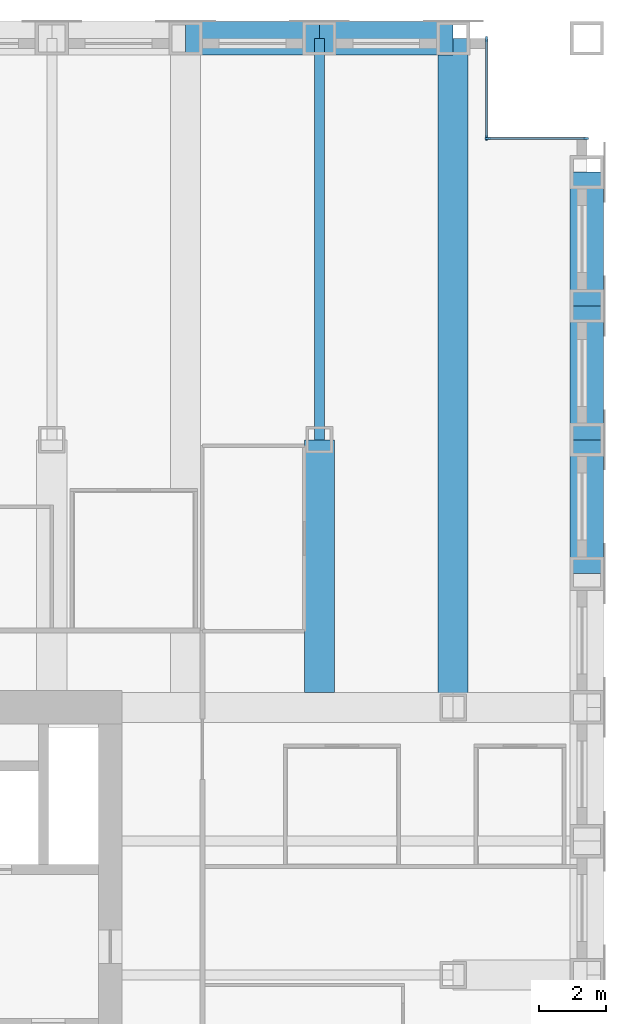
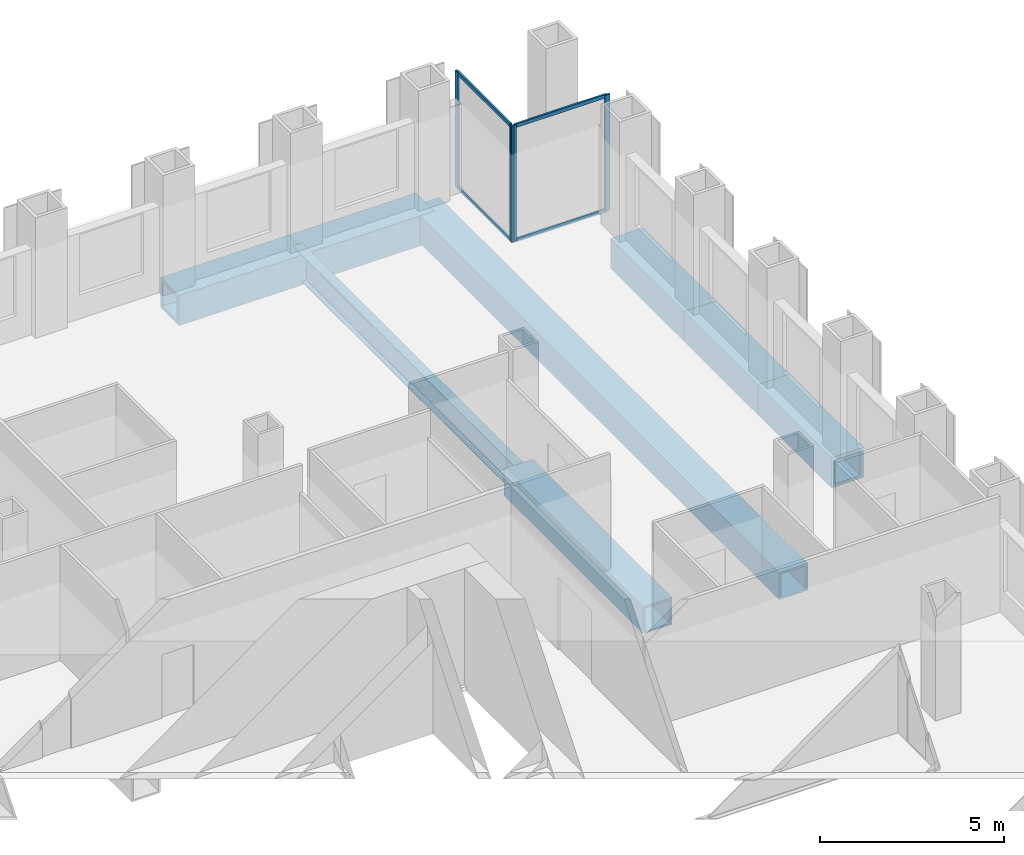
# One storey, part 7 of 14: 8 beams, 8 members, 2 elements without a shape of their own.
"""IFC4 building model written with IfcOpenShell, lengths in metres."""

from ifc_helpers import new_model, si_unit, direction, frame, origin, origin_2d, place, context, subcontext, project, spatial, rectangle, hollow_rectangle, i_section, extrude, material, material_profile, profile_set, type_object, element, aggregate, save


model = new_model("IFC4")

# Units and contexts
model_context = context("Model", 3, precision=1e-05, world=origin(), true_north=direction((0.0, 1.0)))
body_context = subcontext(model_context, "Body", "Model", "MODEL_VIEW")
ifc_project = project(units=[si_unit("LENGTHUNIT", "METRE"), si_unit("AREAUNIT", "SQUARE_METRE"), si_unit("VOLUMEUNIT", "CUBIC_METRE"), si_unit("PLANEANGLEUNIT", "RADIAN"), si_unit("MASSUNIT", "GRAM", prefix="KILO")], contexts=[model_context])

# Site, building, storey
site_placement = place(None, origin())
site = spatial("IfcSite", under=ifc_project, at=site_placement, CompositionType="ELEMENT")
building_placement = place(site_placement, origin())
building = spatial("IfcBuilding", under=site, at=building_placement, Name="Rimbunsela Tower", CompositionType="ELEMENT")
storey_placement = place(building_placement, frame((0.0, 0.0, 226.199951171875)))
storey = spatial("IfcBuildingStorey", under=building, at=storey_placement, Name="L54", CompositionType="ELEMENT", Elevation=226.199951171875)

# Beams
ifc_material_1 = material(Name="Steel BJ 55 (fy 410 MPa)", Category="steel")
ifc_material_profile_1 = material_profile(ifc_material_1, hollow_rectangle(XDim=1.0, YDim=1.0, WallThickness=0.10009765625, at=origin_2d()), Name="BOX 1000x1000x100")
ifc_profile_set_1 = profile_set([ifc_material_profile_1], Name="Steel BJ 55 (fy 410 MPa)")
beam_type_1 = type_object("IfcBeamType", Name="Beam BOX 1000x1000x100", PredefinedType="BEAM", material=ifc_profile_set_1)
for number, where, z_axis, x_axis, name in (
    (1, (38.0, 56.0, -0.64990234375), (1.0, 0.0, 0.0), (0.0, 1.0, 0.0), "Beam B3 L54"),
    (2, (42.0, 56.0, -0.64990234375), (1.0, 0.0, 0.0), (0.0, 1.0, 0.0), "Beam B3 L54"),
    (3, (50.0, 40.0, -0.64990234375), (0.0, 1.0, 0.0), (-1.0, 0.0, 0.0), "Beam B3 L54"),
    (4, (50.0, 44.0, -0.64990234375), (0.0, 1.0, 0.0), (-1.0, 0.0, 0.0), "Beam B3 L54"),
    (5, (50.0, 48.0, -0.64990234375), (0.0, 1.0, 0.0), (-1.0, 0.0, 0.0), "Beam B3 L54"),
):
    element("IfcBeam", number, at=place(storey_placement, frame(where, z_axis=z_axis, x_axis=x_axis)), inside=storey, type_object=beam_type_1, Name=name, PredefinedType="BEAM", context=body_context, shape_type="SweptSolid", body=[
        extrude(hollow_rectangle(XDim=1.0, YDim=1.0, WallThickness=0.10009765625, at=origin_2d()), origin(), (0.0, 0.0, 1.0), 4.0),
    ])
ifc_material_2 = material(Name="Steel BJ 55 (fy 410 MPa)", Category="steel")
ifc_material_profile_2 = material_profile(ifc_material_2, hollow_rectangle(XDim=0.89990234375, YDim=0.89990234375, WallThickness=0.06005859375, at=origin_2d()), Name="BOX 900x900x60")
ifc_profile_set_2 = profile_set([ifc_material_profile_2], Name="Steel BJ 55 (fy 410 MPa)")
beam_type_2 = type_object("IfcBeamType", Name="Beam BOX 900x900x60", PredefinedType="BEAM", material=ifc_profile_set_2)
beam_1_placement = place(storey_placement, frame((42.0, 36.449951171875, -0.599853515625), z_axis=(0.0, 1.0, 0.0), x_axis=(-1.0, 0.0, 0.0)))
element("IfcBeam", 6, at=beam_1_placement, inside=storey, type_object=beam_type_2, Name="Beam B1 L54", PredefinedType="BEAM", context=body_context, shape_type="SweptSolid", body=[
    extrude(hollow_rectangle(XDim=0.89990234375, YDim=0.89990234375, WallThickness=0.06005859375, at=origin_2d()), origin(), (0.0, 0.0, 1.0), 7.550048828125),
])
beam_2_placement = place(storey_placement, frame((46.0, 36.0, -0.599853515625), z_axis=(0.0, 1.0, 0.0), x_axis=(-1.0, 0.0, 0.0)))
element("IfcBeam", 7, at=beam_2_placement, inside=storey, type_object=beam_type_2, Name="Beam B1 L54", PredefinedType="BEAM", context=body_context, shape_type="SweptSolid", body=[
    extrude(hollow_rectangle(XDim=0.89990234375, YDim=0.89990234375, WallThickness=0.06005859375, at=origin_2d()), origin(), (0.0, 0.0, 1.0), 20.0),
])
ifc_material_3 = material(Name="Steel BJ 55 (fy 410 MPa)", Category="steel")
ifc_material_profile_3 = material_profile(ifc_material_3, i_section(OverallWidth=0.300048828125, OverallDepth=0.89990234375, WebThickness=0.01611328125, FlangeThickness=0.028076171875, FilletRadius=0.028076171875, at=origin_2d()), Name="H 900x300x16x28")
ifc_profile_set_3 = profile_set([ifc_material_profile_3], Name="Steel BJ 55 (fy 410 MPa)")
beam_type_3 = type_object("IfcBeamType", Name="Beam H 900x300x16x28", PredefinedType="BEAM", material=ifc_profile_set_3)
beam_3_placement = place(storey_placement, frame((42.0, 44.0, -0.599853515625), z_axis=(0.0, 1.0, 0.0), x_axis=(-1.0, 0.0, 0.0)))
element("IfcBeam", 8, at=beam_3_placement, inside=storey, type_object=beam_type_3, Name="Beam B2 L54", PredefinedType="BEAM", context=body_context, shape_type="SweptSolid", body=[
    extrude(i_section(OverallWidth=0.300048828125, OverallDepth=0.89990234375, WebThickness=0.01611328125, FlangeThickness=0.028076171875, FilletRadius=0.028076171875, at=origin_2d()), origin(), (0.0, 0.0, 1.0), 12.0),
])

# Curtain wall, members
ifc_material_4 = material(Name="Aluminium curtain wall", Category="aluminium")
curtain_wall_type = type_object("IfcCurtainWallType", Name="Corner glazing", PredefinedType="USERDEFINED", material=ifc_material_4)
curtain_wall_1_placement = place(storey_placement, origin())
curtain_wall_1 = element("IfcCurtainWall", 9, at=curtain_wall_1_placement, inside=storey, type_object=curtain_wall_type, Name="Corner glazing L54", ObjectType="CORNER GLAZING", PredefinedType="USERDEFINED")
ifc_material_5 = material(Name="Aluminium mullion", Category="aluminium")
ifc_material_profile_4 = material_profile(ifc_material_5, rectangle(XDim=0.06005859375, YDim=0.159912109375, at=origin_2d()), Name="Mullion 60x160")
ifc_profile_set_4 = profile_set([ifc_material_profile_4], Name="Aluminium mullion")
member_type_1 = type_object("IfcMemberType", Name="Curtain wall mullion 60x160", PredefinedType="MULLION", material=ifc_profile_set_4)
member_1_placement = place(storey_placement, frame((49.969970703125, 53.0, 0.0), z_axis=(0.0, 0.0, 1.0), x_axis=(0.0, -1.0, 0.0)))
member_1 = element("IfcMember", 10, at=member_1_placement, type_object=member_type_1, Name="CW5 mullion 1", PredefinedType="MULLION", context=body_context, shape_type="SweptSolid", body=[
    extrude(rectangle(XDim=0.06005859375, YDim=0.159912109375, at=origin_2d()), origin(), (0.0, 0.0, 1.0), 3.85009765625),
])
member_2_placement = place(storey_placement, frame((47.030029296875, 53.0, 0.0), z_axis=(0.0, 0.0, 1.0), x_axis=(0.0, -1.0, 0.0)))
member_2 = element("IfcMember", 11, at=member_2_placement, type_object=member_type_1, Name="CW5 mullion 2", PredefinedType="MULLION", context=body_context, shape_type="SweptSolid", body=[
    extrude(rectangle(XDim=0.06005859375, YDim=0.159912109375, at=origin_2d()), origin(), (0.0, 0.0, 1.0), 3.85009765625),
])

curtain_wall_2_placement = place(storey_placement, origin())
curtain_wall_2 = element("IfcCurtainWall", 12, at=curtain_wall_2_placement, inside=storey, type_object=curtain_wall_type, Name="Corner glazing L54", ObjectType="CORNER GLAZING", PredefinedType="USERDEFINED")
member_3_placement = place(storey_placement, frame((47.0, 53.030029296875, 0.0), z_axis=(0.0, 0.0, 1.0), x_axis=(-1.0, 0.0, 0.0)))
member_3 = element("IfcMember", 13, at=member_3_placement, type_object=member_type_1, Name="CW5 mullion 1", PredefinedType="MULLION", context=body_context, shape_type="SweptSolid", body=[
    extrude(rectangle(XDim=0.06005859375, YDim=0.159912109375, at=origin_2d()), origin(), (0.0, 0.0, 1.0), 3.85009765625),
])
member_4_placement = place(storey_placement, frame((47.0, 55.969970703125, 0.0), z_axis=(0.0, 0.0, 1.0), x_axis=(-1.0, 0.0, 0.0)))
member_4 = element("IfcMember", 14, at=member_4_placement, type_object=member_type_1, Name="CW5 mullion 2", PredefinedType="MULLION", context=body_context, shape_type="SweptSolid", body=[
    extrude(rectangle(XDim=0.06005859375, YDim=0.159912109375, at=origin_2d()), origin(), (0.0, 0.0, 1.0), 3.85009765625),
])

# Member
ifc_material_6 = material(Name="Aluminium transom", Category="aluminium")
ifc_material_profile_5 = material_profile(ifc_material_6, rectangle(XDim=0.06005859375, YDim=0.1201171875, at=origin_2d()), Name="Transom 60x120")
ifc_profile_set_5 = profile_set([ifc_material_profile_5], Name="Aluminium transom")
member_type_2 = type_object("IfcMemberType", Name="Curtain wall transom 60x120", PredefinedType="USERDEFINED", material=ifc_profile_set_5)
member_5_placement = place(storey_placement, frame((49.93994140625, 53.0, 0.030029296875), z_axis=(-1.0, 0.0, 0.0), x_axis=(0.0, -1.0, 0.0)))
member_5 = element("IfcMember", 15, at=member_5_placement, type_object=member_type_2, Name="CW5 transom 1.1", ObjectType="TRANSOM", PredefinedType="USERDEFINED", context=body_context, shape_type="SweptSolid", body=[
    extrude(rectangle(XDim=0.06005859375, YDim=0.1201171875, at=origin_2d()), origin(), (0.0, 0.0, 1.0), 2.8798828125),
])

member_6_placement = place(storey_placement, frame((49.93994140625, 53.0, 3.820068359375), z_axis=(-1.0, 0.0, 0.0), x_axis=(0.0, -1.0, 0.0)))
member_6 = element("IfcMember", 16, at=member_6_placement, type_object=member_type_2, Name="CW5 transom 1.2", ObjectType="TRANSOM", PredefinedType="USERDEFINED", context=body_context, shape_type="SweptSolid", body=[
    extrude(rectangle(XDim=0.06005859375, YDim=0.1201171875, at=origin_2d()), origin(), (0.0, 0.0, 1.0), 2.8798828125),
])

aggregate(curtain_wall_1, [member_1, member_2, member_5, member_6])

member_7_placement = place(storey_placement, frame((47.0, 53.06005859375, 0.030029296875), z_axis=(0.0, 1.0, 0.0), x_axis=(-1.0, 0.0, 0.0)))
member_7 = element("IfcMember", 17, at=member_7_placement, type_object=member_type_2, Name="CW5 transom 1.1", ObjectType="TRANSOM", PredefinedType="USERDEFINED", context=body_context, shape_type="SweptSolid", body=[
    extrude(rectangle(XDim=0.06005859375, YDim=0.1201171875, at=origin_2d()), origin(), (0.0, 0.0, 1.0), 2.8798828125),
])

member_8_placement = place(storey_placement, frame((47.0, 53.06005859375, 3.820068359375), z_axis=(0.0, 1.0, 0.0), x_axis=(-1.0, 0.0, 0.0)))
member_8 = element("IfcMember", 18, at=member_8_placement, type_object=member_type_2, Name="CW5 transom 1.2", ObjectType="TRANSOM", PredefinedType="USERDEFINED", context=body_context, shape_type="SweptSolid", body=[
    extrude(rectangle(XDim=0.06005859375, YDim=0.1201171875, at=origin_2d()), origin(), (0.0, 0.0, 1.0), 2.8798828125),
])

aggregate(curtain_wall_2, [member_3, member_4, member_7, member_8])

save(model, "model.ifc")
